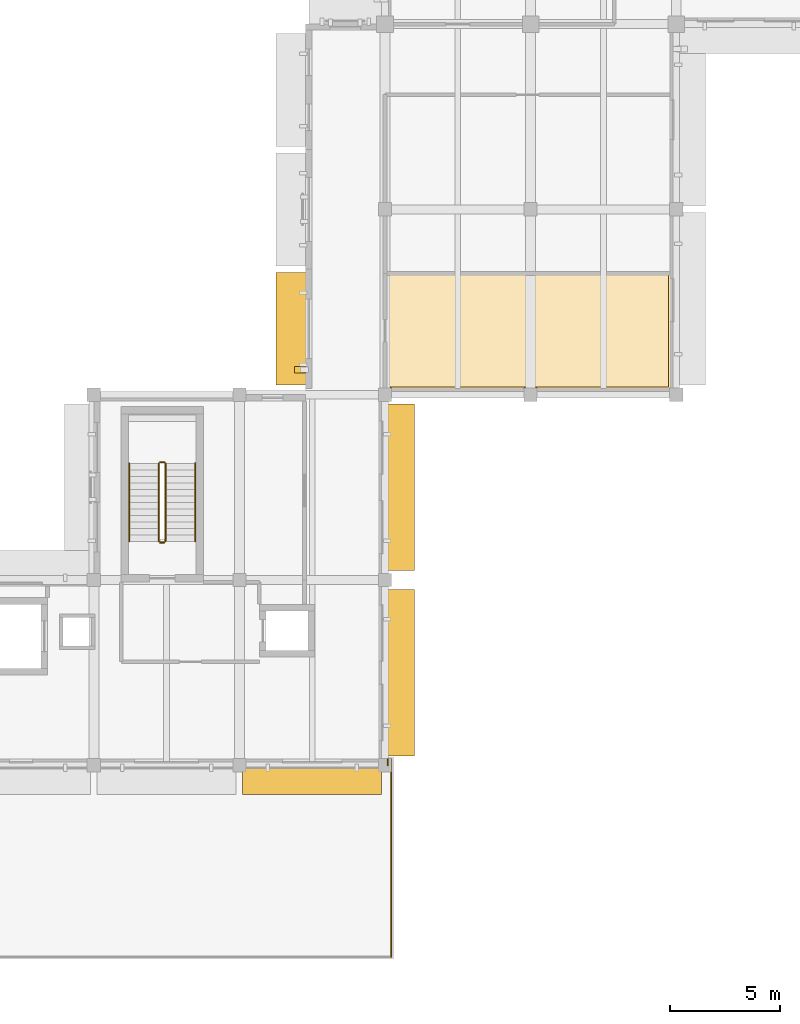
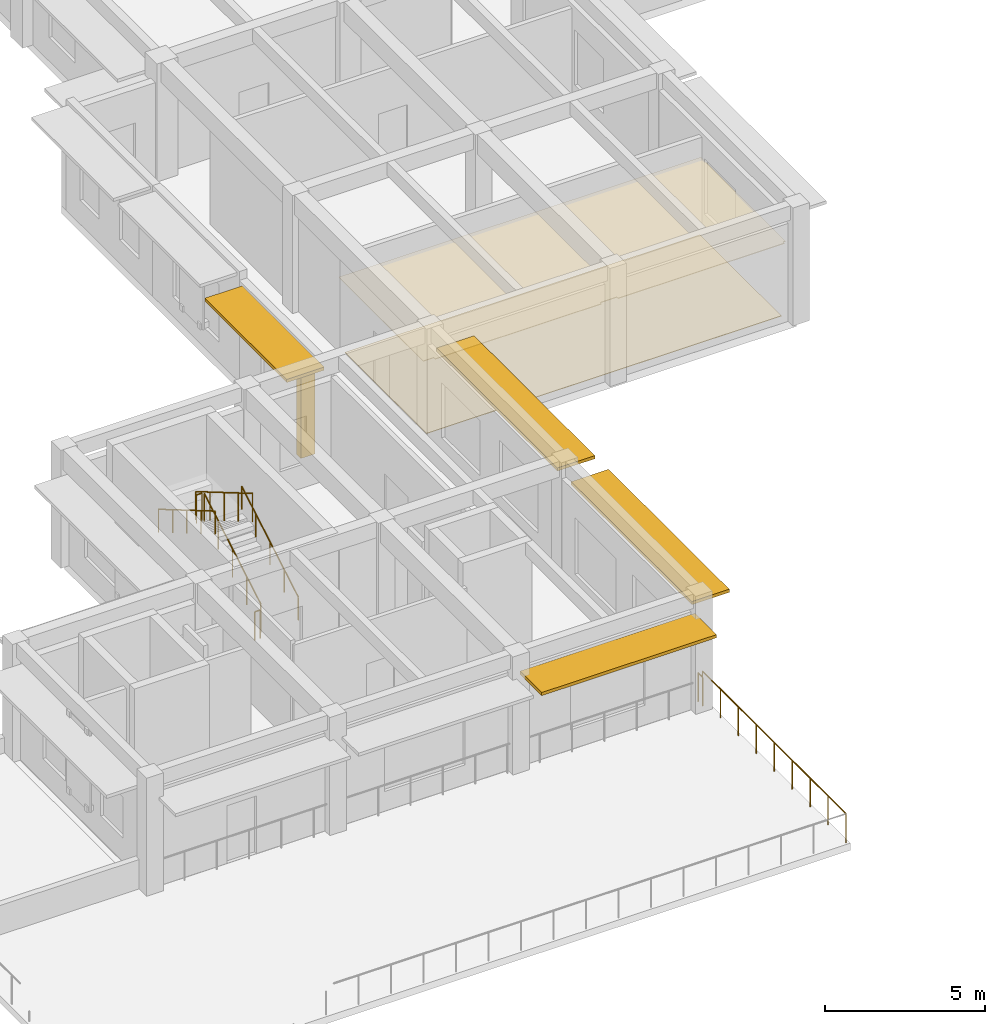
# One storey, part 18 of 20: 8 railings, 5 shading devices, 2 coverings.
"""IFC4 building model written with IfcOpenShell, lengths in metres."""

from ifc_helpers import new_model, si_unit, direction, frame, origin, origin_2d, place, context, subcontext, project, spatial, polyline, rectangle, circle, outline, extrude, material, layer, layer_set, type_object, element, save


model = new_model("IFC4")

# Units and contexts
model_context = context("Model", 3, precision=1e-05, world=origin(), true_north=direction((0.0, 1.0)))
body_context = subcontext(model_context, "Body", "Model", "MODEL_VIEW")
ifc_project = project(units=[si_unit("LENGTHUNIT", "METRE"), si_unit("AREAUNIT", "SQUARE_METRE"), si_unit("VOLUMEUNIT", "CUBIC_METRE"), si_unit("PLANEANGLEUNIT", "RADIAN"), si_unit("MASSUNIT", "GRAM", prefix="KILO")], contexts=[model_context])

# Site, building, storey
site_placement = place(None, origin())
site = spatial("IfcSite", under=ifc_project, at=site_placement, CompositionType="ELEMENT")
building_placement = place(site_placement, origin())
building = spatial("IfcBuilding", under=site, at=building_placement, Name="Kolvaren Faculty of Natural Sciences", CompositionType="ELEMENT")
storey_placement = place(building_placement, frame((0.0, 0.0, 24.0)))
storey = spatial("IfcBuildingStorey", under=building, at=storey_placement, Name="L05", CompositionType="ELEMENT", Elevation=24.0)

# Covering
ifc_material_1 = material(Name="Perforated mineral-fibre acoustic suspended ceiling tile")
ifc_layer_1 = layer(ifc_material_1, 0.02490234375)
ifc_layer_set_1 = layer_set([ifc_layer_1], Name="Perforated mineral-fibre acoustic suspended ceiling tile")
covering_type_1 = type_object("IfcCoveringType", Name="AcousticSuspendedCeiling_25", PredefinedType="CEILING", material=ifc_layer_set_1)
covering_1_placement = place(storey_placement, frame((0.0, 0.0, 2.824951171875)))
element("IfcCovering", 1, at=covering_1_placement, inside=storey, type_object=covering_type_1, Name="L05 L05 GIS and Remote Sensing Studio acoustic ceiling", PredefinedType="CEILING", context=body_context, shape_type="SweptSolid", body=[
    extrude(outline(polyline([(151.780029296875, 47.780029296875), (151.780029296875, 42.5), (151.699951171875, 42.5), (151.699951171875, 42.419921875), (145.699951171875, 42.419921875), (145.699951171875, 42.5), (145.10009765625, 42.5), (145.10009765625, 42.419921875), (139.10009765625, 42.419921875), (139.10009765625, 42.5), (138.719970703125, 42.5), (138.719970703125, 47.780029296875), (151.780029296875, 47.780029296875)])), origin(), (0.0, 0.0, 1.0), 0.025146484375),
])

# Shading devices
ifc_material_2 = material(Name="Precast concrete C35/45", Category="concrete")
ifc_layer_2 = layer(ifc_material_2, 0.1201171875)
ifc_layer_set_2 = layer_set([ifc_layer_2], Name="Precast concrete C35/45")
shading_device_type_1 = type_object("IfcShadingDeviceType", Name="ChhajjaSolarHood_1350", PredefinedType="AWNING", material=ifc_layer_set_2)
shading_device_1_placement = place(storey_placement, frame((134.544921875, 45.186767578125, 3.64501953125), z_axis=(0.0, 0.0, 1.0), x_axis=(0.0, 1.0, 0.0)))
element("IfcShadingDevice", 2, at=shading_device_1_placement, inside=storey, type_object=shading_device_type_1, Name="L05 precast sandstone chhajja solar hood 135", PredefinedType="AWNING", context=body_context, shape_type="SweptSolid", body=[
    extrude(rectangle(XDim=5.11328125, YDim=1.35009765625, at=origin_2d()), origin(), (0.0, 0.0, 1.0), 0.1201171875),
])
for number, where, z_axis, x_axis, name in (
    (3, (139.455078125, 38.0, 3.64501953125), (0.0, 0.0, 1.0), (0.0, -1.0, 0.0), "L05 precast sandstone chhajja solar hood 154"),
    (4, (139.455078125, 29.60009765625, 3.64501953125), (0.0, 0.0, 1.0), (0.0, -1.0, 0.0), "L05 precast sandstone chhajja solar hood 155"),
):
    element("IfcShadingDevice", number, at=place(storey_placement, frame(where, z_axis=z_axis, x_axis=x_axis)), inside=storey, type_object=shading_device_type_1, Name=name, PredefinedType="AWNING", context=body_context, shape_type="SweptSolid", body=[
        extrude(rectangle(XDim=7.5400390625, YDim=1.35009765625, at=origin_2d()), origin(), (0.0, 0.0, 1.0), 0.1201171875),
    ])
shading_device_2_placement = place(storey_placement, frame((135.5, 24.7451171875, 3.494873046875), z_axis=(0.0, 0.0, 1.0), x_axis=(-1.0, 0.0, 0.0)))
element("IfcShadingDevice", 5, at=shading_device_2_placement, inside=storey, type_object=shading_device_type_1, Name="L05 precast sandstone chhajja solar hood 156", PredefinedType="AWNING", context=body_context, shape_type="SweptSolid", body=[
    extrude(rectangle(XDim=6.300048828125, YDim=1.35009765625, at=origin_2d()), origin(), (0.0, 0.0, 1.0), 0.1201171875),
])
ifc_layer_3 = layer(ifc_material_2, 0.280029296875)
ifc_layer_set_3 = layer_set([ifc_layer_3], Name="Precast concrete C35/45")
shading_device_type_2 = type_object("IfcShadingDeviceType", Name="FacadeReliefFin_280x520", PredefinedType="USERDEFINED", material=ifc_layer_set_3)
shading_device_3_placement = place(storey_placement, frame((134.9599609375, 43.330078125, 0.1201171875), z_axis=(0.0, 0.0, 1.0), x_axis=(0.0, 1.0, 0.0)))
element("IfcShadingDevice", 6, at=shading_device_3_placement, inside=storey, type_object=shading_device_type_2, Name="L05 projecting sandstone facade relief fin 15", ObjectType="FIN", PredefinedType="USERDEFINED", context=body_context, shape_type="SweptSolid", body=[
    extrude(rectangle(XDim=0.280029296875, YDim=0.52001953125, at=origin_2d()), origin(), (0.0, 0.0, 1.0), 3.60498046875),
])

# Railings
ifc_material_3 = material(Name="Structural steel EN 10210-1 S355J2H", Category="steel")
ifc_layer_4 = layer(ifc_material_3, 0.048095703125)
ifc_layer_set_4 = layer_set([ifc_layer_4], Name="Structural steel EN 10210-1 S355J2H")
railing_type_1 = type_object("IfcRailingType", Name="GuardRailing_GRD110", PredefinedType="BALUSTRADE", material=ifc_layer_set_4)
railing_1_placement = place(storey_placement, frame((138.919921875, 25.39990234375, 0.0)))
element("IfcRailing", 7, at=railing_1_placement, inside=storey, type_object=railing_type_1, Name="L05 Computational Sciences Chahar-Bagh Roof Terrace perimeter balustrade 18", PredefinedType="BALUSTRADE", context=body_context, shape_type="SweptSolid", body=[
    extrude(circle(Radius=0.02392578125, at=origin_2d()), frame((0.0, 0.0, 1.09619140625), z_axis=(0.0, 1.0, 0.0), x_axis=(-1.0, 0.0, 0.0)), (0.0, 0.0, 1.0), 0.280029296875),
    extrude(circle(Radius=0.02099609375, at=origin_2d()), origin(), (0.0, 0.0, 1.0), 1.072021484375),
    extrude(circle(Radius=0.02099609375, at=origin_2d()), frame((0.0, 0.280029296875, 0.0)), (0.0, 0.0, 1.0), 1.072021484375),
])
railing_2_placement = place(storey_placement, frame((139.080078125, 25.679931640625, 0.0)))
element("IfcRailing", 8, at=railing_2_placement, inside=storey, type_object=railing_type_1, Name="L05 Computational Sciences Chahar-Bagh Roof Terrace perimeter balustrade 19", PredefinedType="BALUSTRADE", context=body_context, shape_type="SweptSolid", body=[
    extrude(circle(Radius=0.02392578125, at=origin_2d()), frame((0.0, 0.0, 1.09619140625), z_axis=(0.0, -1.0, 0.0), x_axis=(1.0, 0.0, 0.0)), (0.0, 0.0, 1.0), 8.9599609375),
    extrude(circle(Radius=0.02099609375, at=origin_2d()), origin(), (0.0, 0.0, 1.0), 1.072021484375),
    extrude(circle(Radius=0.02099609375, at=origin_2d()), frame((0.0, -1.1201171875, 0.0)), (0.0, 0.0, 1.0), 1.072021484375),
    extrude(circle(Radius=0.02099609375, at=origin_2d()), frame((0.0, -2.239990234375, 0.0)), (0.0, 0.0, 1.0), 1.072021484375),
    extrude(circle(Radius=0.02099609375, at=origin_2d()), frame((0.0, -3.35986328125, 0.0)), (0.0, 0.0, 1.0), 1.072021484375),
    extrude(circle(Radius=0.02099609375, at=origin_2d()), frame((0.0, -4.47998046875, 0.0)), (0.0, 0.0, 1.0), 1.072021484375),
    extrude(circle(Radius=0.02099609375, at=origin_2d()), frame((0.0, -5.60009765625, 0.0)), (0.0, 0.0, 1.0), 1.072021484375),
    extrude(circle(Radius=0.02099609375, at=origin_2d()), frame((0.0, -6.719970703125, 0.0)), (0.0, 0.0, 1.0), 1.072021484375),
    extrude(circle(Radius=0.02099609375, at=origin_2d()), frame((0.0, -7.83984375, 0.0)), (0.0, 0.0, 1.0), 1.072021484375),
    extrude(circle(Radius=0.02099609375, at=origin_2d()), frame((0.0, -8.9599609375, 0.0)), (0.0, 0.0, 1.0), 1.072021484375),
])

# Covering
ifc_material_4 = material(Name="Seamless chemical-resistant laboratory epoxy resin flooring")
ifc_layer_5 = layer(ifc_material_4, 0.02001953125)
ifc_layer_set_5 = layer_set([ifc_layer_5], Name="Seamless chemical-resistant laboratory epoxy resin flooring")
covering_type_2 = type_object("IfcCoveringType", Name="LabEpoxyFloorFinish_20", PredefinedType="FLOORING", material=ifc_layer_set_5)
covering_2_placement = place(storey_placement, origin())
element("IfcCovering", 9, at=covering_2_placement, inside=storey, type_object=covering_type_2, Name="L05 L05 GIS and Remote Sensing Studio floor finish", PredefinedType="FLOORING", context=body_context, shape_type="SweptSolid", body=[
    extrude(outline(polyline([(151.659912109375, 42.5400390625), (138.860107421875, 42.5400390625), (138.860107421875, 47.639892578125), (151.659912109375, 47.639892578125), (151.659912109375, 42.5400390625)])), origin(), (0.0, 0.0, 1.0), 0.02001953125),
])

# Railings
ifc_layer_6 = layer(ifc_material_3, 0.048095703125)
ifc_layer_set_6 = layer_set([ifc_layer_6], Name="Structural steel EN 10210-1 S355J2H")
railing_type_2 = type_object("IfcRailingType", Name="StairPitchHandrail_920", PredefinedType="HANDRAIL", material=ifc_layer_set_6)
railing_3_placement = place(storey_placement, frame((130.199951171875, 35.550048828125, 0.173095703125)))
element("IfcRailing", 10, at=railing_3_placement, inside=storey, type_object=railing_type_2, Name="L05 ST-3 stair handrail 1", PredefinedType="HANDRAIL", context=body_context, shape_type="SweptSolid", body=[
    extrude(circle(Radius=0.02392578125, at=origin_2d()), frame((0.0, 0.0, 0.8759765625), z_axis=(0.0, 0.862516251723, 0.506029362304), x_axis=(-1.0, 0.0, 0.0)), (0.0, 0.0, 1.0), 4.104248046875),
    extrude(circle(Radius=0.02099609375, at=origin_2d()), origin(), (0.0, 0.0, 1.0), 0.851806640625),
    extrude(circle(Radius=0.02099609375, at=origin_2d()), frame((0.0, 0.885009765625, 0.519287109375)), (0.0, 0.0, 1.0), 0.851806640625),
    extrude(circle(Radius=0.02099609375, at=origin_2d()), frame((0.0, 1.77001953125, 1.03857421875)), (0.0, 0.0, 1.0), 0.851806640625),
    extrude(circle(Radius=0.02099609375, at=origin_2d()), frame((0.0, 2.655029296875, 1.5576171875)), (0.0, 0.0, 1.0), 0.851806640625),
    extrude(circle(Radius=0.02099609375, at=origin_2d()), frame((0.0, 3.5400390625, 2.076904296875)), (0.0, 0.0, 1.0), 0.851806640625),
])
railing_4_placement = place(storey_placement, frame((127.199951171875, 39.090087890625, 2.423095703125)))
element("IfcRailing", 11, at=railing_4_placement, inside=storey, type_object=railing_type_2, Name="L05 ST-3 stair handrail 2", PredefinedType="HANDRAIL", context=body_context, shape_type="SweptSolid", body=[
    extrude(circle(Radius=0.02392578125, at=origin_2d()), frame((0.0, 0.0, 0.8759765625), z_axis=(0.0, -0.862516251723, 0.506029362304), x_axis=(1.0, 0.0, 0.0)), (0.0, 0.0, 1.0), 4.104248046875),
    extrude(circle(Radius=0.02099609375, at=origin_2d()), origin(), (0.0, 0.0, 1.0), 0.851806640625),
    extrude(circle(Radius=0.02099609375, at=origin_2d()), frame((0.0, -0.885009765625, 0.519287109375)), (0.0, 0.0, 1.0), 0.851806640625),
    extrude(circle(Radius=0.02099609375, at=origin_2d()), frame((0.0, -1.77001953125, 1.03857421875)), (0.0, 0.0, 1.0), 0.851806640625),
    extrude(circle(Radius=0.02099609375, at=origin_2d()), frame((0.0, -2.655029296875, 1.5576171875)), (0.0, 0.0, 1.0), 0.851806640625),
    extrude(circle(Radius=0.02099609375, at=origin_2d()), frame((0.0, -3.5400390625, 2.076904296875)), (0.0, 0.0, 1.0), 0.851806640625),
])
ifc_layer_7 = layer(ifc_material_3, 0.048095703125)
ifc_layer_set_7 = layer_set([ifc_layer_7], Name="Structural steel EN 10210-1 S355J2H")
railing_type_3 = type_object("IfcRailingType", Name="StairWellGuard_1100", PredefinedType="BALUSTRADE", material=ifc_layer_set_7)
railing_5_placement = place(storey_placement, frame((128.85009765625, 35.550048828125, 0.173095703125)))
element("IfcRailing", 12, at=railing_5_placement, inside=storey, type_object=railing_type_3, Name="L05 ST-3 stair guard 1", PredefinedType="BALUSTRADE", context=body_context, shape_type="SweptSolid", body=[
    extrude(circle(Radius=0.02392578125, at=origin_2d()), frame((0.0, 0.0, 1.076171875), z_axis=(0.0, 0.862516251723, 0.506029362304), x_axis=(-1.0, 0.0, 0.0)), (0.0, 0.0, 1.0), 4.104248046875),
    extrude(circle(Radius=0.02099609375, at=origin_2d()), origin(), (0.0, 0.0, 1.0), 1.052001953125),
    extrude(circle(Radius=0.02099609375, at=origin_2d()), frame((0.0, 0.885009765625, 0.519287109375)), (0.0, 0.0, 1.0), 1.052001953125),
    extrude(circle(Radius=0.02099609375, at=origin_2d()), frame((0.0, 1.77001953125, 1.03857421875)), (0.0, 0.0, 1.0), 1.052001953125),
    extrude(circle(Radius=0.02099609375, at=origin_2d()), frame((0.0, 2.655029296875, 1.5576171875)), (0.0, 0.0, 1.0), 1.052001953125),
    extrude(circle(Radius=0.02099609375, at=origin_2d()), frame((0.0, 3.5400390625, 2.076904296875)), (0.0, 0.0, 1.0), 1.052001953125),
])
railing_6_placement = place(storey_placement, frame((128.800048828125, 39.139892578125, 2.25)))
element("IfcRailing", 13, at=railing_6_placement, inside=storey, type_object=railing_type_3, Name="L05 ST-3 stair guard 2", PredefinedType="BALUSTRADE", context=body_context, shape_type="SweptSolid", body=[
    extrude(circle(Radius=0.02392578125, at=origin_2d()), frame((0.0, 0.0, 1.076171875), z_axis=(-1.0, 0.0, 0.0), x_axis=(0.0, -1.0, 0.0)), (0.0, 0.0, 1.0), 0.199951171875),
    extrude(circle(Radius=0.02099609375, at=origin_2d()), origin(), (0.0, 0.0, 1.0), 1.052001953125),
    extrude(circle(Radius=0.02099609375, at=origin_2d()), frame((-0.199951171875, 0.0, 0.0)), (0.0, 0.0, 1.0), 1.052001953125),
])
railing_7_placement = place(storey_placement, frame((128.550048828125, 39.090087890625, 2.423095703125)))
element("IfcRailing", 14, at=railing_7_placement, inside=storey, type_object=railing_type_3, Name="L05 ST-3 stair guard 3", PredefinedType="BALUSTRADE", context=body_context, shape_type="SweptSolid", body=[
    extrude(circle(Radius=0.02392578125, at=origin_2d()), frame((0.0, 0.0, 1.076171875), z_axis=(0.0, -0.862516251723, 0.506029362304), x_axis=(1.0, 0.0, 0.0)), (0.0, 0.0, 1.0), 4.104248046875),
    extrude(circle(Radius=0.02099609375, at=origin_2d()), origin(), (0.0, 0.0, 1.0), 1.052001953125),
    extrude(circle(Radius=0.02099609375, at=origin_2d()), frame((0.0, -0.885009765625, 0.519287109375)), (0.0, 0.0, 1.0), 1.052001953125),
    extrude(circle(Radius=0.02099609375, at=origin_2d()), frame((0.0, -1.77001953125, 1.03857421875)), (0.0, 0.0, 1.0), 1.052001953125),
    extrude(circle(Radius=0.02099609375, at=origin_2d()), frame((0.0, -2.655029296875, 1.5576171875)), (0.0, 0.0, 1.0), 1.052001953125),
    extrude(circle(Radius=0.02099609375, at=origin_2d()), frame((0.0, -3.5400390625, 2.076904296875)), (0.0, 0.0, 1.0), 1.052001953125),
])
railing_8_placement = place(storey_placement, frame((128.800048828125, 35.5, 0.0)))
element("IfcRailing", 15, at=railing_8_placement, inside=storey, type_object=railing_type_3, Name="L05 ST-3 stair guard 4", PredefinedType="BALUSTRADE", context=body_context, shape_type="SweptSolid", body=[
    extrude(circle(Radius=0.02392578125, at=origin_2d()), frame((0.0, 0.0, 1.076171875), z_axis=(-1.0, 0.0, 0.0), x_axis=(0.0, -1.0, 0.0)), (0.0, 0.0, 1.0), 0.199951171875),
    extrude(circle(Radius=0.02099609375, at=origin_2d()), origin(), (0.0, 0.0, 1.0), 1.052001953125),
    extrude(circle(Radius=0.02099609375, at=origin_2d()), frame((-0.199951171875, 0.0, 0.0)), (0.0, 0.0, 1.0), 1.052001953125),
])

save(model, "model.ifc")
